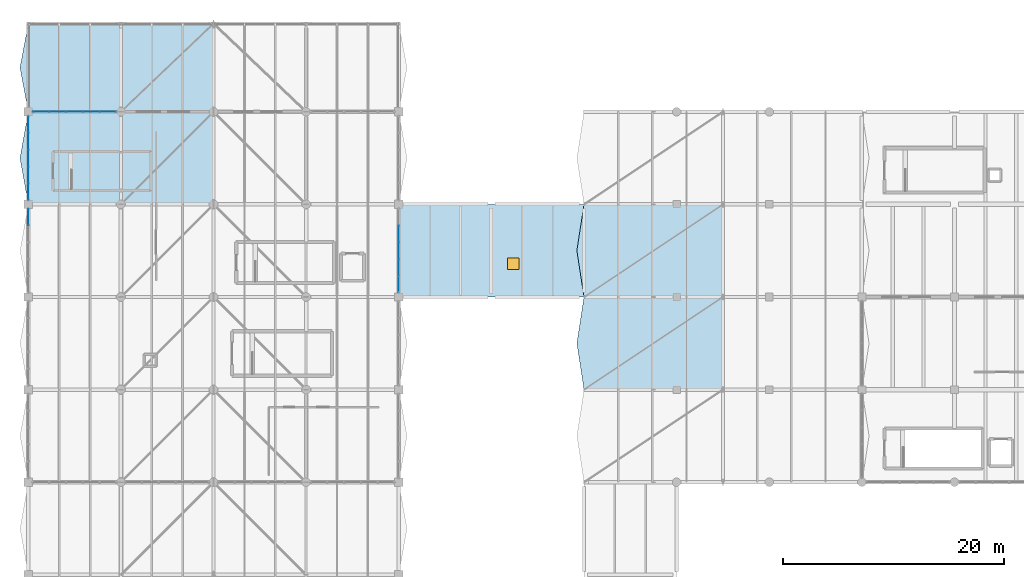
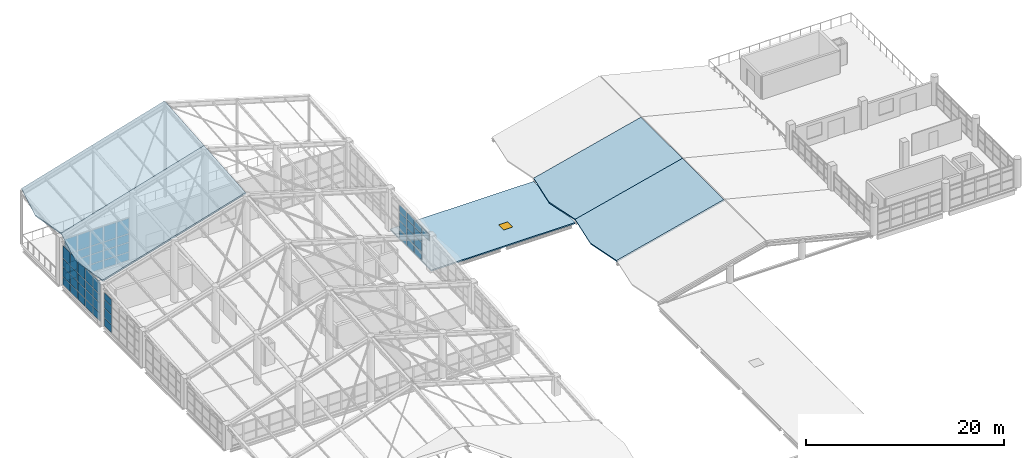
# One storey, part 69 of 95: 57 plates, 5 slabs, 1 door, 1 opening, 4 elements without a shape of their own.
"""IFC4 building model written with IfcOpenShell, lengths in metres."""

from ifc_helpers import new_model, si_unit, direction, frame, origin, origin_2d, place, context, subcontext, project, spatial, polyline, rectangle, outline, extrude, material, layer, layer_set, type_object, element, fill, aggregate, save


model = new_model("IFC4")

# Units and contexts
model_context = context("Model", 3, precision=1e-05, world=origin(), true_north=direction((0.0, 1.0)))
body_context = subcontext(model_context, "Body", "Model", "MODEL_VIEW")
ifc_project = project(units=[si_unit("LENGTHUNIT", "METRE"), si_unit("AREAUNIT", "SQUARE_METRE"), si_unit("VOLUMEUNIT", "CUBIC_METRE"), si_unit("PLANEANGLEUNIT", "RADIAN"), si_unit("MASSUNIT", "GRAM", prefix="KILO"), si_unit("THERMODYNAMICTEMPERATUREUNIT", "KELVIN"), si_unit("POWERUNIT", "WATT")], contexts=[model_context])

# Site, building, storey
site_placement = place(None, origin())
site = spatial("IfcSite", under=ifc_project, at=site_placement, CompositionType="ELEMENT")
building_placement = place(site_placement, origin())
building = spatial("IfcBuilding", under=site, at=building_placement, Name="Mavoryth Pier Ferry Terminal", CompositionType="ELEMENT")
storey_placement = place(building_placement, frame((0.0, 0.0, 9.60009765625)))
storey = spatial("IfcBuildingStorey", under=building, at=storey_placement, Name="L02", CompositionType="ELEMENT", Elevation=9.60009765625)

# Curtain wall, plates
ifc_material_1 = material(Name="Anodised Aluminium and Solar-Control Low-E Glass", Category="aluminium")
ifc_layer_1 = layer(ifc_material_1, 0.179931640625, Name="Anodised Aluminium and Solar-Control Low-E Glass", Category="aluminium")
ifc_layer_set_1 = layer_set([ifc_layer_1], Name="Anodised Aluminium and Solar-Control Low-E Glass - CW-Concourse-Mod1400")
curtain_wall_type_1 = type_object("IfcCurtainWallType", Name="CW-Concourse-Mod1400", PredefinedType="USERDEFINED", material=ifc_layer_set_1)
curtain_wall_1_placement = place(storey_placement, origin())
curtain_wall_1 = element("IfcCurtainWall", 1, at=curtain_wall_1_placement, inside=storey, type_object=curtain_wall_type_1, Name="Curtain Wall CW-0222-028", ObjectType="UNITISED CURTAIN WALL", PredefinedType="USERDEFINED")
ifc_material_2 = material(Name="Acoustic Solar-Control Triple-Laminated Glazing", Category="glass")
ifc_layer_2 = layer(ifc_material_2, 0.033935546875, Name="Acoustic Solar-Control Triple-Laminated Glazing", Category="glass")
ifc_layer_set_2 = layer_set([ifc_layer_2], Name="Acoustic Solar-Control Triple-Laminated Glazing - Panel-LowE-DGU-34")
plate_type = type_object("IfcPlateType", Name="Panel-LowE-DGU-34", PredefinedType="CURTAIN_PANEL", material=ifc_layer_set_2)
plate_1_placement = place(storey_placement, frame((0.0, 96.445068359375, 0.059814453125), z_axis=(0.0, 0.0, 1.0), x_axis=(0.0, -1.0, 0.0)))
plate_1 = element("IfcPlate", 2, at=plate_1_placement, type_object=plate_type, Name="CW01 panel 1.1", PredefinedType="CURTAIN_PANEL", context=body_context, shape_type="SweptSolid", body=[
    extrude(rectangle(XDim=1.43994140625, YDim=0.033935546875, at=origin_2d()), origin(), (0.0, 0.0, 1.0), 0.9599609375),
])
plate_2_placement = place(storey_placement, frame((0.0, 96.445068359375, 1.080078125), z_axis=(0.0, 0.0, 1.0), x_axis=(0.0, -1.0, 0.0)))
plate_2 = element("IfcPlate", 3, at=plate_2_placement, type_object=plate_type, Name="CW01 panel 1.2", PredefinedType="CURTAIN_PANEL", context=body_context, shape_type="SweptSolid", body=[
    extrude(rectangle(XDim=1.43994140625, YDim=0.033935546875, at=origin_2d()), origin(), (0.0, 0.0, 1.0), 1.139892578125),
])
plate_3_placement = place(storey_placement, frame((0.0, 96.445068359375, 2.27978515625), z_axis=(0.0, 0.0, 1.0), x_axis=(0.0, -1.0, 0.0)))
plate_3 = element("IfcPlate", 4, at=plate_3_placement, type_object=plate_type, Name="CW01 panel 1.3", PredefinedType="CURTAIN_PANEL", context=body_context, shape_type="SweptSolid", body=[
    extrude(rectangle(XDim=1.43994140625, YDim=0.033935546875, at=origin_2d()), origin(), (0.0, 0.0, 1.0), 0.989990234375),
])
plate_4_placement = place(storey_placement, frame((0.0, 96.445068359375, 3.330078125), z_axis=(0.0, 0.0, 1.0), x_axis=(0.0, -1.0, 0.0)))
plate_4 = element("IfcPlate", 5, at=plate_4_placement, type_object=plate_type, Name="CW01 panel 1.4", PredefinedType="CURTAIN_PANEL", context=body_context, shape_type="SweptSolid", body=[
    extrude(rectangle(XDim=1.43994140625, YDim=0.033935546875, at=origin_2d()), origin(), (0.0, 0.0, 1.0), 0.831787109375),
])
aggregate(curtain_wall_1, [plate_1, plate_2, plate_3, plate_4])

curtain_wall_2_placement = place(storey_placement, origin())
curtain_wall_2 = element("IfcCurtainWall", 6, at=curtain_wall_2_placement, inside=storey, type_object=curtain_wall_type_1, Name="Curtain Wall CW-0222-029", ObjectType="UNITISED CURTAIN WALL", PredefinedType="USERDEFINED")
plate_5_placement = place(storey_placement, frame((33.60009765625, 90.35498046875, 3.330078125), z_axis=(0.0, 0.0, 1.0), x_axis=(0.0, 1.0, 0.0)))
plate_5 = element("IfcPlate", 7, at=plate_5_placement, type_object=plate_type, Name="CW01 panel 1.4", PredefinedType="CURTAIN_PANEL", context=body_context, shape_type="SweptSolid", body=[
    extrude(rectangle(XDim=1.43994140625, YDim=0.033935546875, at=origin_2d()), origin(), (0.0, 0.0, 1.0), 0.831787109375),
])
plate_6_placement = place(storey_placement, frame((33.60009765625, 91.8701171875, 0.059814453125), z_axis=(0.0, 0.0, 1.0), x_axis=(0.0, 1.0, 0.0)))
plate_6 = element("IfcPlate", 8, at=plate_6_placement, type_object=plate_type, Name="CW01 panel 2.1", PredefinedType="CURTAIN_PANEL", context=body_context, shape_type="SweptSolid", body=[
    extrude(rectangle(XDim=1.469970703125, YDim=0.033935546875, at=origin_2d()), origin(), (0.0, 0.0, 1.0), 0.9599609375),
])
plate_7_placement = place(storey_placement, frame((33.60009765625, 91.8701171875, 1.080078125), z_axis=(0.0, 0.0, 1.0), x_axis=(0.0, 1.0, 0.0)))
plate_7 = element("IfcPlate", 9, at=plate_7_placement, type_object=plate_type, Name="CW01 panel 2.2", PredefinedType="CURTAIN_PANEL", context=body_context, shape_type="SweptSolid", body=[
    extrude(rectangle(XDim=1.469970703125, YDim=0.033935546875, at=origin_2d()), origin(), (0.0, 0.0, 1.0), 1.139892578125),
])
plate_8_placement = place(storey_placement, frame((33.60009765625, 91.8701171875, 2.27978515625), z_axis=(0.0, 0.0, 1.0), x_axis=(0.0, 1.0, 0.0)))
plate_8 = element("IfcPlate", 10, at=plate_8_placement, type_object=plate_type, Name="CW01 panel 2.3", PredefinedType="CURTAIN_PANEL", context=body_context, shape_type="SweptSolid", body=[
    extrude(rectangle(XDim=1.469970703125, YDim=0.033935546875, at=origin_2d()), origin(), (0.0, 0.0, 1.0), 0.989990234375),
])
plate_9_placement = place(storey_placement, frame((33.60009765625, 91.8701171875, 3.330078125), z_axis=(0.0, 0.0, 1.0), x_axis=(0.0, 1.0, 0.0)))
plate_9 = element("IfcPlate", 11, at=plate_9_placement, type_object=plate_type, Name="CW01 panel 2.4", PredefinedType="CURTAIN_PANEL", context=body_context, shape_type="SweptSolid", body=[
    extrude(rectangle(XDim=1.469970703125, YDim=0.033935546875, at=origin_2d()), origin(), (0.0, 0.0, 1.0), 0.831787109375),
])
plate_10_placement = place(storey_placement, frame((33.60009765625, 93.39990234375, 0.059814453125), z_axis=(0.0, 0.0, 1.0), x_axis=(0.0, 1.0, 0.0)))
plate_10 = element("IfcPlate", 12, at=plate_10_placement, type_object=plate_type, Name="CW01 panel 3.1", PredefinedType="CURTAIN_PANEL", context=body_context, shape_type="SweptSolid", body=[
    extrude(rectangle(XDim=1.469970703125, YDim=0.033935546875, at=origin_2d()), origin(), (0.0, 0.0, 1.0), 0.9599609375),
])
plate_11_placement = place(storey_placement, frame((33.60009765625, 93.39990234375, 1.080078125), z_axis=(0.0, 0.0, 1.0), x_axis=(0.0, 1.0, 0.0)))
plate_11 = element("IfcPlate", 13, at=plate_11_placement, type_object=plate_type, Name="CW01 panel 3.2", PredefinedType="CURTAIN_PANEL", context=body_context, shape_type="SweptSolid", body=[
    extrude(rectangle(XDim=1.469970703125, YDim=0.033935546875, at=origin_2d()), origin(), (0.0, 0.0, 1.0), 1.139892578125),
])
plate_12_placement = place(storey_placement, frame((33.60009765625, 93.39990234375, 2.27978515625), z_axis=(0.0, 0.0, 1.0), x_axis=(0.0, 1.0, 0.0)))
plate_12 = element("IfcPlate", 14, at=plate_12_placement, type_object=plate_type, Name="CW01 panel 3.3", PredefinedType="CURTAIN_PANEL", context=body_context, shape_type="SweptSolid", body=[
    extrude(rectangle(XDim=1.469970703125, YDim=0.033935546875, at=origin_2d()), origin(), (0.0, 0.0, 1.0), 0.989990234375),
])
plate_13_placement = place(storey_placement, frame((33.60009765625, 93.39990234375, 3.330078125), z_axis=(0.0, 0.0, 1.0), x_axis=(0.0, 1.0, 0.0)))
plate_13 = element("IfcPlate", 15, at=plate_13_placement, type_object=plate_type, Name="CW01 panel 3.4", PredefinedType="CURTAIN_PANEL", context=body_context, shape_type="SweptSolid", body=[
    extrude(rectangle(XDim=1.469970703125, YDim=0.033935546875, at=origin_2d()), origin(), (0.0, 0.0, 1.0), 0.831787109375),
])
plate_14_placement = place(storey_placement, frame((33.60009765625, 94.929931640625, 0.059814453125), z_axis=(0.0, 0.0, 1.0), x_axis=(0.0, 1.0, 0.0)))
plate_14 = element("IfcPlate", 16, at=plate_14_placement, type_object=plate_type, Name="CW01 panel 4.1", PredefinedType="CURTAIN_PANEL", context=body_context, shape_type="SweptSolid", body=[
    extrude(rectangle(XDim=1.469970703125, YDim=0.033935546875, at=origin_2d()), origin(), (0.0, 0.0, 1.0), 0.9599609375),
])
plate_15_placement = place(storey_placement, frame((33.60009765625, 94.929931640625, 1.080078125), z_axis=(0.0, 0.0, 1.0), x_axis=(0.0, 1.0, 0.0)))
plate_15 = element("IfcPlate", 17, at=plate_15_placement, type_object=plate_type, Name="CW01 panel 4.2", PredefinedType="CURTAIN_PANEL", context=body_context, shape_type="SweptSolid", body=[
    extrude(rectangle(XDim=1.469970703125, YDim=0.033935546875, at=origin_2d()), origin(), (0.0, 0.0, 1.0), 1.139892578125),
])
plate_16_placement = place(storey_placement, frame((33.60009765625, 94.929931640625, 2.27978515625), z_axis=(0.0, 0.0, 1.0), x_axis=(0.0, 1.0, 0.0)))
plate_16 = element("IfcPlate", 18, at=plate_16_placement, type_object=plate_type, Name="CW01 panel 4.3", PredefinedType="CURTAIN_PANEL", context=body_context, shape_type="SweptSolid", body=[
    extrude(rectangle(XDim=1.469970703125, YDim=0.033935546875, at=origin_2d()), origin(), (0.0, 0.0, 1.0), 0.989990234375),
])
plate_17_placement = place(storey_placement, frame((33.60009765625, 94.929931640625, 3.330078125), z_axis=(0.0, 0.0, 1.0), x_axis=(0.0, 1.0, 0.0)))
plate_17 = element("IfcPlate", 19, at=plate_17_placement, type_object=plate_type, Name="CW01 panel 4.4", PredefinedType="CURTAIN_PANEL", context=body_context, shape_type="SweptSolid", body=[
    extrude(rectangle(XDim=1.469970703125, YDim=0.033935546875, at=origin_2d()), origin(), (0.0, 0.0, 1.0), 0.831787109375),
])
aggregate(curtain_wall_2, [plate_5, plate_6, plate_7, plate_8, plate_9, plate_10, plate_11, plate_12, plate_13, plate_14, plate_15, plate_16, plate_17])

curtain_wall_3_placement = place(storey_placement, origin())
curtain_wall_3 = element("IfcCurtainWall", 20, at=curtain_wall_3_placement, inside=storey, type_object=curtain_wall_type_1, Name="Curtain Wall CW-0222-034", ObjectType="UNITISED CURTAIN WALL", PredefinedType="USERDEFINED")
plate_18_placement = place(storey_placement, frame((0.0, 104.844970703125, 0.059814453125), z_axis=(0.0, 0.0, 1.0), x_axis=(0.0, -1.0, 0.0)))
plate_18 = element("IfcPlate", 21, at=plate_18_placement, type_object=plate_type, Name="CW01 panel 1.1", PredefinedType="CURTAIN_PANEL", context=body_context, shape_type="SweptSolid", body=[
    extrude(rectangle(XDim=1.43994140625, YDim=0.033935546875, at=origin_2d()), origin(), (0.0, 0.0, 1.0), 0.9599609375),
])
plate_19_placement = place(storey_placement, frame((0.0, 104.844970703125, 1.080078125), z_axis=(0.0, 0.0, 1.0), x_axis=(0.0, -1.0, 0.0)))
plate_19 = element("IfcPlate", 22, at=plate_19_placement, type_object=plate_type, Name="CW01 panel 1.2", PredefinedType="CURTAIN_PANEL", context=body_context, shape_type="SweptSolid", body=[
    extrude(rectangle(XDim=1.43994140625, YDim=0.033935546875, at=origin_2d()), origin(), (0.0, 0.0, 1.0), 1.139892578125),
])
plate_20_placement = place(storey_placement, frame((0.0, 104.844970703125, 2.27978515625), z_axis=(0.0, 0.0, 1.0), x_axis=(0.0, -1.0, 0.0)))
plate_20 = element("IfcPlate", 23, at=plate_20_placement, type_object=plate_type, Name="CW01 panel 1.3", PredefinedType="CURTAIN_PANEL", context=body_context, shape_type="SweptSolid", body=[
    extrude(rectangle(XDim=1.43994140625, YDim=0.033935546875, at=origin_2d()), origin(), (0.0, 0.0, 1.0), 0.989990234375),
])
plate_21_placement = place(storey_placement, frame((0.0, 104.844970703125, 3.330078125), z_axis=(0.0, 0.0, 1.0), x_axis=(0.0, -1.0, 0.0)))
plate_21 = element("IfcPlate", 24, at=plate_21_placement, type_object=plate_type, Name="CW01 panel 1.4", PredefinedType="CURTAIN_PANEL", context=body_context, shape_type="SweptSolid", body=[
    extrude(rectangle(XDim=1.43994140625, YDim=0.033935546875, at=origin_2d()), origin(), (0.0, 0.0, 1.0), 1.546142578125),
])
plate_22_placement = place(storey_placement, frame((0.0, 103.330078125, 0.059814453125), z_axis=(0.0, 0.0, 1.0), x_axis=(0.0, -1.0, 0.0)))
plate_22 = element("IfcPlate", 25, at=plate_22_placement, type_object=plate_type, Name="CW01 panel 2.1", PredefinedType="CURTAIN_PANEL", context=body_context, shape_type="SweptSolid", body=[
    extrude(rectangle(XDim=1.469970703125, YDim=0.033935546875, at=origin_2d()), origin(), (0.0, 0.0, 1.0), 0.9599609375),
])
plate_23_placement = place(storey_placement, frame((0.0, 103.330078125, 1.080078125), z_axis=(0.0, 0.0, 1.0), x_axis=(0.0, -1.0, 0.0)))
plate_23 = element("IfcPlate", 26, at=plate_23_placement, type_object=plate_type, Name="CW01 panel 2.2", PredefinedType="CURTAIN_PANEL", context=body_context, shape_type="SweptSolid", body=[
    extrude(rectangle(XDim=1.469970703125, YDim=0.033935546875, at=origin_2d()), origin(), (0.0, 0.0, 1.0), 1.139892578125),
])
plate_24_placement = place(storey_placement, frame((0.0, 103.330078125, 2.27978515625), z_axis=(0.0, 0.0, 1.0), x_axis=(0.0, -1.0, 0.0)))
plate_24 = element("IfcPlate", 27, at=plate_24_placement, type_object=plate_type, Name="CW01 panel 2.3", PredefinedType="CURTAIN_PANEL", context=body_context, shape_type="SweptSolid", body=[
    extrude(rectangle(XDim=1.469970703125, YDim=0.033935546875, at=origin_2d()), origin(), (0.0, 0.0, 1.0), 0.989990234375),
])
plate_25_placement = place(storey_placement, frame((0.0, 103.330078125, 3.330078125), z_axis=(0.0, 0.0, 1.0), x_axis=(0.0, -1.0, 0.0)))
plate_25 = element("IfcPlate", 28, at=plate_25_placement, type_object=plate_type, Name="CW01 panel 2.4", PredefinedType="CURTAIN_PANEL", context=body_context, shape_type="SweptSolid", body=[
    extrude(rectangle(XDim=1.469970703125, YDim=0.033935546875, at=origin_2d()), origin(), (0.0, 0.0, 1.0), 1.546142578125),
])
plate_26_placement = place(storey_placement, frame((0.0, 101.800048828125, 0.059814453125), z_axis=(0.0, 0.0, 1.0), x_axis=(0.0, -1.0, 0.0)))
plate_26 = element("IfcPlate", 29, at=plate_26_placement, type_object=plate_type, Name="CW01 panel 3.1", PredefinedType="CURTAIN_PANEL", context=body_context, shape_type="SweptSolid", body=[
    extrude(rectangle(XDim=1.469970703125, YDim=0.033935546875, at=origin_2d()), origin(), (0.0, 0.0, 1.0), 0.9599609375),
])
plate_27_placement = place(storey_placement, frame((0.0, 101.800048828125, 1.080078125), z_axis=(0.0, 0.0, 1.0), x_axis=(0.0, -1.0, 0.0)))
plate_27 = element("IfcPlate", 30, at=plate_27_placement, type_object=plate_type, Name="CW01 panel 3.2", PredefinedType="CURTAIN_PANEL", context=body_context, shape_type="SweptSolid", body=[
    extrude(rectangle(XDim=1.469970703125, YDim=0.033935546875, at=origin_2d()), origin(), (0.0, 0.0, 1.0), 1.139892578125),
])
plate_28_placement = place(storey_placement, frame((0.0, 101.800048828125, 2.27978515625), z_axis=(0.0, 0.0, 1.0), x_axis=(0.0, -1.0, 0.0)))
plate_28 = element("IfcPlate", 31, at=plate_28_placement, type_object=plate_type, Name="CW01 panel 3.3", PredefinedType="CURTAIN_PANEL", context=body_context, shape_type="SweptSolid", body=[
    extrude(rectangle(XDim=1.469970703125, YDim=0.033935546875, at=origin_2d()), origin(), (0.0, 0.0, 1.0), 0.989990234375),
])
plate_29_placement = place(storey_placement, frame((0.0, 101.800048828125, 3.330078125), z_axis=(0.0, 0.0, 1.0), x_axis=(0.0, -1.0, 0.0)))
plate_29 = element("IfcPlate", 32, at=plate_29_placement, type_object=plate_type, Name="CW01 panel 3.4", PredefinedType="CURTAIN_PANEL", context=body_context, shape_type="SweptSolid", body=[
    extrude(rectangle(XDim=1.469970703125, YDim=0.033935546875, at=origin_2d()), origin(), (0.0, 0.0, 1.0), 1.546142578125),
])
plate_30_placement = place(storey_placement, frame((0.0, 100.27001953125, 0.059814453125), z_axis=(0.0, 0.0, 1.0), x_axis=(0.0, -1.0, 0.0)))
plate_30 = element("IfcPlate", 33, at=plate_30_placement, type_object=plate_type, Name="CW01 panel 4.1", PredefinedType="CURTAIN_PANEL", context=body_context, shape_type="SweptSolid", body=[
    extrude(rectangle(XDim=1.469970703125, YDim=0.033935546875, at=origin_2d()), origin(), (0.0, 0.0, 1.0), 0.9599609375),
])
plate_31_placement = place(storey_placement, frame((0.0, 100.27001953125, 1.080078125), z_axis=(0.0, 0.0, 1.0), x_axis=(0.0, -1.0, 0.0)))
plate_31 = element("IfcPlate", 34, at=plate_31_placement, type_object=plate_type, Name="CW01 panel 4.2", PredefinedType="CURTAIN_PANEL", context=body_context, shape_type="SweptSolid", body=[
    extrude(rectangle(XDim=1.469970703125, YDim=0.033935546875, at=origin_2d()), origin(), (0.0, 0.0, 1.0), 1.139892578125),
])
plate_32_placement = place(storey_placement, frame((0.0, 100.27001953125, 2.27978515625), z_axis=(0.0, 0.0, 1.0), x_axis=(0.0, -1.0, 0.0)))
plate_32 = element("IfcPlate", 35, at=plate_32_placement, type_object=plate_type, Name="CW01 panel 4.3", PredefinedType="CURTAIN_PANEL", context=body_context, shape_type="SweptSolid", body=[
    extrude(rectangle(XDim=1.469970703125, YDim=0.033935546875, at=origin_2d()), origin(), (0.0, 0.0, 1.0), 0.989990234375),
])
plate_33_placement = place(storey_placement, frame((0.0, 100.27001953125, 3.330078125), z_axis=(0.0, 0.0, 1.0), x_axis=(0.0, -1.0, 0.0)))
plate_33 = element("IfcPlate", 36, at=plate_33_placement, type_object=plate_type, Name="CW01 panel 4.4", PredefinedType="CURTAIN_PANEL", context=body_context, shape_type="SweptSolid", body=[
    extrude(rectangle(XDim=1.469970703125, YDim=0.033935546875, at=origin_2d()), origin(), (0.0, 0.0, 1.0), 1.546142578125),
])
plate_34_placement = place(storey_placement, frame((0.0, 98.7548828125, 0.059814453125), z_axis=(0.0, 0.0, 1.0), x_axis=(0.0, -1.0, 0.0)))
plate_34 = element("IfcPlate", 37, at=plate_34_placement, type_object=plate_type, Name="CW01 panel 5.1", PredefinedType="CURTAIN_PANEL", context=body_context, shape_type="SweptSolid", body=[
    extrude(rectangle(XDim=1.43994140625, YDim=0.033935546875, at=origin_2d()), origin(), (0.0, 0.0, 1.0), 0.9599609375),
])
plate_35_placement = place(storey_placement, frame((0.0, 98.7548828125, 1.080078125), z_axis=(0.0, 0.0, 1.0), x_axis=(0.0, -1.0, 0.0)))
plate_35 = element("IfcPlate", 38, at=plate_35_placement, type_object=plate_type, Name="CW01 panel 5.2", PredefinedType="CURTAIN_PANEL", context=body_context, shape_type="SweptSolid", body=[
    extrude(rectangle(XDim=1.43994140625, YDim=0.033935546875, at=origin_2d()), origin(), (0.0, 0.0, 1.0), 1.139892578125),
])
plate_36_placement = place(storey_placement, frame((0.0, 98.7548828125, 2.27978515625), z_axis=(0.0, 0.0, 1.0), x_axis=(0.0, -1.0, 0.0)))
plate_36 = element("IfcPlate", 39, at=plate_36_placement, type_object=plate_type, Name="CW01 panel 5.3", PredefinedType="CURTAIN_PANEL", context=body_context, shape_type="SweptSolid", body=[
    extrude(rectangle(XDim=1.43994140625, YDim=0.033935546875, at=origin_2d()), origin(), (0.0, 0.0, 1.0), 0.989990234375),
])
plate_37_placement = place(storey_placement, frame((0.0, 98.7548828125, 3.330078125), z_axis=(0.0, 0.0, 1.0), x_axis=(0.0, -1.0, 0.0)))
plate_37 = element("IfcPlate", 40, at=plate_37_placement, type_object=plate_type, Name="CW01 panel 5.4", PredefinedType="CURTAIN_PANEL", context=body_context, shape_type="SweptSolid", body=[
    extrude(rectangle(XDim=1.43994140625, YDim=0.033935546875, at=origin_2d()), origin(), (0.0, 0.0, 1.0), 1.546142578125),
])
aggregate(curtain_wall_3, [plate_18, plate_19, plate_20, plate_21, plate_22, plate_23, plate_24, plate_25, plate_26, plate_27, plate_28, plate_29, plate_30, plate_31, plate_32, plate_33, plate_34, plate_35, plate_36, plate_37])

ifc_layer_3 = layer(ifc_material_1, 0.219970703125, Name="Anodised Aluminium and Solar-Control Low-E Glass", Category="aluminium")
ifc_layer_set_3 = layer_set([ifc_layer_3], Name="Anodised Aluminium and Solar-Control Low-E Glass - CW-Seaward-Tall-Mod1400")
curtain_wall_type_2 = type_object("IfcCurtainWallType", Name="CW-Seaward-Tall-Mod1400", PredefinedType="USERDEFINED", material=ifc_layer_set_3)
curtain_wall_4_placement = place(storey_placement, origin())
curtain_wall_4 = element("IfcCurtainWall", 41, at=curtain_wall_4_placement, inside=storey, type_object=curtain_wall_type_2, Name="Curtain Wall CW-0254-037", ObjectType="UNITISED CURTAIN WALL", PredefinedType="USERDEFINED")
plate_38_placement = place(storey_placement, frame((7.227783203125, 106.0, 0.06982421875), z_axis=(0.0, 0.0, 1.0), x_axis=(-1.0, 0.0, 0.0)))
plate_38 = element("IfcPlate", 42, at=plate_38_placement, type_object=plate_type, Name="CW03 panel 1.1", PredefinedType="CURTAIN_PANEL", context=body_context, shape_type="SweptSolid", body=[
    extrude(rectangle(XDim=1.41455078125, YDim=0.033935546875, at=origin_2d()), origin(), (0.0, 0.0, 1.0), 0.945068359375),
])
plate_39_placement = place(storey_placement, frame((7.227783203125, 106.0, 1.0849609375), z_axis=(0.0, 0.0, 1.0), x_axis=(-1.0, 0.0, 0.0)))
plate_39 = element("IfcPlate", 43, at=plate_39_placement, type_object=plate_type, Name="CW03 panel 1.2", PredefinedType="CURTAIN_PANEL", context=body_context, shape_type="SweptSolid", body=[
    extrude(rectangle(XDim=1.41455078125, YDim=0.033935546875, at=origin_2d()), origin(), (0.0, 0.0, 1.0), 1.1298828125),
])
plate_40_placement = place(storey_placement, frame((7.227783203125, 106.0, 2.284912109375), z_axis=(0.0, 0.0, 1.0), x_axis=(-1.0, 0.0, 0.0)))
plate_40 = element("IfcPlate", 44, at=plate_40_placement, type_object=plate_type, Name="CW03 panel 1.3", PredefinedType="CURTAIN_PANEL", context=body_context, shape_type="SweptSolid", body=[
    extrude(rectangle(XDim=1.41455078125, YDim=0.033935546875, at=origin_2d()), origin(), (0.0, 0.0, 1.0), 0.97998046875),
])
plate_41_placement = place(storey_placement, frame((7.227783203125, 106.0, 3.3349609375), z_axis=(0.0, 0.0, 1.0), x_axis=(-1.0, 0.0, 0.0)))
plate_41 = element("IfcPlate", 45, at=plate_41_placement, type_object=plate_type, Name="CW03 panel 1.4", PredefinedType="CURTAIN_PANEL", context=body_context, shape_type="SweptSolid", body=[
    extrude(rectangle(XDim=1.41455078125, YDim=0.033935546875, at=origin_2d()), origin(), (0.0, 0.0, 1.0), 1.88818359375),
])
plate_42_placement = place(storey_placement, frame((5.719482421875, 106.0, 0.06982421875), z_axis=(0.0, 0.0, 1.0), x_axis=(-1.0, 0.0, 0.0)))
plate_42 = element("IfcPlate", 46, at=plate_42_placement, type_object=plate_type, Name="CW03 panel 2.1", PredefinedType="CURTAIN_PANEL", context=body_context, shape_type="SweptSolid", body=[
    extrude(rectangle(XDim=1.451904296875, YDim=0.033935546875, at=origin_2d()), origin(), (0.0, 0.0, 1.0), 0.945068359375),
])
plate_43_placement = place(storey_placement, frame((5.719482421875, 106.0, 1.0849609375), z_axis=(0.0, 0.0, 1.0), x_axis=(-1.0, 0.0, 0.0)))
plate_43 = element("IfcPlate", 47, at=plate_43_placement, type_object=plate_type, Name="CW03 panel 2.2", PredefinedType="CURTAIN_PANEL", context=body_context, shape_type="SweptSolid", body=[
    extrude(rectangle(XDim=1.451904296875, YDim=0.033935546875, at=origin_2d()), origin(), (0.0, 0.0, 1.0), 1.1298828125),
])
plate_44_placement = place(storey_placement, frame((5.719482421875, 106.0, 2.284912109375), z_axis=(0.0, 0.0, 1.0), x_axis=(-1.0, 0.0, 0.0)))
plate_44 = element("IfcPlate", 48, at=plate_44_placement, type_object=plate_type, Name="CW03 panel 2.3", PredefinedType="CURTAIN_PANEL", context=body_context, shape_type="SweptSolid", body=[
    extrude(rectangle(XDim=1.451904296875, YDim=0.033935546875, at=origin_2d()), origin(), (0.0, 0.0, 1.0), 0.97998046875),
])
plate_45_placement = place(storey_placement, frame((5.719482421875, 106.0, 3.3349609375), z_axis=(0.0, 0.0, 1.0), x_axis=(-1.0, 0.0, 0.0)))
plate_45 = element("IfcPlate", 49, at=plate_45_placement, type_object=plate_type, Name="CW03 panel 2.4", PredefinedType="CURTAIN_PANEL", context=body_context, shape_type="SweptSolid", body=[
    extrude(rectangle(XDim=1.451904296875, YDim=0.033935546875, at=origin_2d()), origin(), (0.0, 0.0, 1.0), 1.88818359375),
])
plate_46_placement = place(storey_placement, frame((4.1923828125, 106.0, 0.06982421875), z_axis=(0.0, 0.0, 1.0), x_axis=(-1.0, 0.0, 0.0)))
plate_46 = element("IfcPlate", 50, at=plate_46_placement, type_object=plate_type, Name="CW03 panel 3.1", PredefinedType="CURTAIN_PANEL", context=body_context, shape_type="SweptSolid", body=[
    extrude(rectangle(XDim=1.451904296875, YDim=0.033935546875, at=origin_2d()), origin(), (0.0, 0.0, 1.0), 0.945068359375),
])
plate_47_placement = place(storey_placement, frame((4.1923828125, 106.0, 1.0849609375), z_axis=(0.0, 0.0, 1.0), x_axis=(-1.0, 0.0, 0.0)))
plate_47 = element("IfcPlate", 51, at=plate_47_placement, type_object=plate_type, Name="CW03 panel 3.2", PredefinedType="CURTAIN_PANEL", context=body_context, shape_type="SweptSolid", body=[
    extrude(rectangle(XDim=1.451904296875, YDim=0.033935546875, at=origin_2d()), origin(), (0.0, 0.0, 1.0), 1.1298828125),
])
plate_48_placement = place(storey_placement, frame((4.1923828125, 106.0, 2.284912109375), z_axis=(0.0, 0.0, 1.0), x_axis=(-1.0, 0.0, 0.0)))
plate_48 = element("IfcPlate", 52, at=plate_48_placement, type_object=plate_type, Name="CW03 panel 3.3", PredefinedType="CURTAIN_PANEL", context=body_context, shape_type="SweptSolid", body=[
    extrude(rectangle(XDim=1.451904296875, YDim=0.033935546875, at=origin_2d()), origin(), (0.0, 0.0, 1.0), 0.97998046875),
])
plate_49_placement = place(storey_placement, frame((4.1923828125, 106.0, 3.3349609375), z_axis=(0.0, 0.0, 1.0), x_axis=(-1.0, 0.0, 0.0)))
plate_49 = element("IfcPlate", 53, at=plate_49_placement, type_object=plate_type, Name="CW03 panel 3.4", PredefinedType="CURTAIN_PANEL", context=body_context, shape_type="SweptSolid", body=[
    extrude(rectangle(XDim=1.451904296875, YDim=0.033935546875, at=origin_2d()), origin(), (0.0, 0.0, 1.0), 1.88818359375),
])
plate_50_placement = place(storey_placement, frame((2.66552734375, 106.0, 0.06982421875), z_axis=(0.0, 0.0, 1.0), x_axis=(-1.0, 0.0, 0.0)))
plate_50 = element("IfcPlate", 54, at=plate_50_placement, type_object=plate_type, Name="CW03 panel 4.1", PredefinedType="CURTAIN_PANEL", context=body_context, shape_type="SweptSolid", body=[
    extrude(rectangle(XDim=1.451904296875, YDim=0.033935546875, at=origin_2d()), origin(), (0.0, 0.0, 1.0), 0.945068359375),
])
plate_51_placement = place(storey_placement, frame((2.66552734375, 106.0, 1.0849609375), z_axis=(0.0, 0.0, 1.0), x_axis=(-1.0, 0.0, 0.0)))
plate_51 = element("IfcPlate", 55, at=plate_51_placement, type_object=plate_type, Name="CW03 panel 4.2", PredefinedType="CURTAIN_PANEL", context=body_context, shape_type="SweptSolid", body=[
    extrude(rectangle(XDim=1.451904296875, YDim=0.033935546875, at=origin_2d()), origin(), (0.0, 0.0, 1.0), 1.1298828125),
])
plate_52_placement = place(storey_placement, frame((2.66552734375, 106.0, 2.284912109375), z_axis=(0.0, 0.0, 1.0), x_axis=(-1.0, 0.0, 0.0)))
plate_52 = element("IfcPlate", 56, at=plate_52_placement, type_object=plate_type, Name="CW03 panel 4.3", PredefinedType="CURTAIN_PANEL", context=body_context, shape_type="SweptSolid", body=[
    extrude(rectangle(XDim=1.451904296875, YDim=0.033935546875, at=origin_2d()), origin(), (0.0, 0.0, 1.0), 0.97998046875),
])
plate_53_placement = place(storey_placement, frame((2.66552734375, 106.0, 3.3349609375), z_axis=(0.0, 0.0, 1.0), x_axis=(-1.0, 0.0, 0.0)))
plate_53 = element("IfcPlate", 57, at=plate_53_placement, type_object=plate_type, Name="CW03 panel 4.4", PredefinedType="CURTAIN_PANEL", context=body_context, shape_type="SweptSolid", body=[
    extrude(rectangle(XDim=1.451904296875, YDim=0.033935546875, at=origin_2d()), origin(), (0.0, 0.0, 1.0), 1.88818359375),
])
plate_54_placement = place(storey_placement, frame((1.1572265625, 106.0, 0.06982421875), z_axis=(0.0, 0.0, 1.0), x_axis=(-1.0, 0.0, 0.0)))
plate_54 = element("IfcPlate", 58, at=plate_54_placement, type_object=plate_type, Name="CW03 panel 5.1", PredefinedType="CURTAIN_PANEL", context=body_context, shape_type="SweptSolid", body=[
    extrude(rectangle(XDim=1.41455078125, YDim=0.033935546875, at=origin_2d()), origin(), (0.0, 0.0, 1.0), 0.945068359375),
])
plate_55_placement = place(storey_placement, frame((1.1572265625, 106.0, 1.0849609375), z_axis=(0.0, 0.0, 1.0), x_axis=(-1.0, 0.0, 0.0)))
plate_55 = element("IfcPlate", 59, at=plate_55_placement, type_object=plate_type, Name="CW03 panel 5.2", PredefinedType="CURTAIN_PANEL", context=body_context, shape_type="SweptSolid", body=[
    extrude(rectangle(XDim=1.41455078125, YDim=0.033935546875, at=origin_2d()), origin(), (0.0, 0.0, 1.0), 1.1298828125),
])
plate_56_placement = place(storey_placement, frame((1.1572265625, 106.0, 2.284912109375), z_axis=(0.0, 0.0, 1.0), x_axis=(-1.0, 0.0, 0.0)))
plate_56 = element("IfcPlate", 60, at=plate_56_placement, type_object=plate_type, Name="CW03 panel 5.3", PredefinedType="CURTAIN_PANEL", context=body_context, shape_type="SweptSolid", body=[
    extrude(rectangle(XDim=1.41455078125, YDim=0.033935546875, at=origin_2d()), origin(), (0.0, 0.0, 1.0), 0.97998046875),
])
plate_57_placement = place(storey_placement, frame((1.1572265625, 106.0, 3.3349609375), z_axis=(0.0, 0.0, 1.0), x_axis=(-1.0, 0.0, 0.0)))
plate_57 = element("IfcPlate", 61, at=plate_57_placement, type_object=plate_type, Name="CW03 panel 5.4", PredefinedType="CURTAIN_PANEL", context=body_context, shape_type="SweptSolid", body=[
    extrude(rectangle(XDim=1.41455078125, YDim=0.033935546875, at=origin_2d()), origin(), (0.0, 0.0, 1.0), 1.88818359375),
])
aggregate(curtain_wall_4, [plate_38, plate_39, plate_40, plate_41, plate_42, plate_43, plate_44, plate_45, plate_46, plate_47, plate_48, plate_49, plate_50, plate_51, plate_52, plate_53, plate_54, plate_55, plate_56, plate_57])

# Slab, opening, door
ifc_material_3 = material(Name="Concrete C35/45", Category="concrete")
ifc_layer_4 = layer(ifc_material_3, 0.159912109375, Name="Concrete C35/45", Category="concrete")
ifc_layer_set_4 = layer_set([ifc_layer_4], Name="Concrete C35/45 - Slab-Roof-Canopy-160")
slab_type_1 = type_object("IfcSlabType", Name="Slab-Roof-Canopy-160", PredefinedType="ROOF", material=ifc_layer_set_4)
slab_1_placement = place(storey_placement, frame((0.0, 0.0, -0.16015625)))
slab_1 = element("IfcSlab", 62, at=slab_1_placement, inside=storey, type_object=slab_type_1, Name="Slab SLB-BR12-RF", PredefinedType="ROOF", context=body_context, shape_type="SweptSolid", body=[
    extrude(outline(polyline([(33.60009765625, 89.199951171875), (50.39990234375, 89.199951171875), (50.39990234375, 97.60009765625), (33.60009765625, 97.60009765625), (33.60009765625, 89.199951171875)]), holes=[polyline([(43.47509765625, 91.675048828125), (44.52490234375, 91.675048828125), (44.52490234375, 92.72509765625), (43.47509765625, 92.72509765625), (43.47509765625, 91.675048828125)])]), origin(), (0.0, 0.0, 1.0), 0.16015625),
])
opening_placement = place(slab_1_placement, frame((44.0, 92.199951171875, 0.0)))
opening = element("IfcOpeningElement", 63, at=opening_placement, cuts=slab_1, Name="Opening RH02-05", PredefinedType="OPENING", context=body_context, shape_type="SweptSolid", body=[
    extrude(rectangle(XDim=1.050048828125, YDim=1.050048828125, at=origin_2d()), frame((0.0, 0.0, -0.010009765625)), (0.0, 0.0, 1.0), 0.18017578125),
])
ifc_material_4 = material(Name="Thermally Broken Anodised Aluminium and Laminated Glass", Category="aluminium")
door_type = type_object("IfcDoorType", Name="Hatch-RoofAccess-1050x1050", OperationType="NOTDEFINED", PredefinedType="TRAPDOOR", material=ifc_material_4)
door_placement = place(opening_placement, frame((0.0, 0.0, 0.110107421875)))
door = element("IfcDoor", 64, at=door_placement, inside=storey, type_object=door_type, Name="Roof Maintenance Access Hatch 5", OperationType="SINGLE_SWING_LEFT", OverallHeight=1.050048828125, OverallWidth=1.050048828125, PredefinedType="TRAPDOOR", context=body_context, shape_type="SweptSolid", body=[
    extrude(rectangle(XDim=1.050048828125, YDim=1.050048828125, at=origin_2d()), origin(), (0.0, 0.0, 1.0), 0.050048828125),
])
fill(opening, door)

# Slabs
ifc_layer_5 = layer(ifc_material_3, 0.219970703125, Name="Concrete C35/45", Category="concrete")
ifc_layer_set_5 = layer_set([ifc_layer_5], Name="Concrete C35/45 - Slab-Roof-FoldedV1-220")
slab_type_2 = type_object("IfcSlabType", Name="Slab-Roof-FoldedV1-220", PredefinedType="ROOF", material=ifc_layer_set_5)
slab_2_placement = place(storey_placement, frame((0.0, 97.60009765625, 5.428955078125), z_axis=(-0.284133155845, -0.081244964769, 0.955336383401), x_axis=(0.958505048522, -1.82032e-07, 0.285075554823)))
element("IfcSlab", 65, at=slab_2_placement, inside=storey, type_object=slab_type_2, Name="Departure Folded Roof West Bay 10", PredefinedType="ROOF", context=body_context, shape_type="SweptSolid", body=[
    extrude(outline(polyline([(0.0, 0.0), (17.45626953842037, 0.0), (17.659913290966493, 8.427763187365834), (0.2036437525461263, 8.427763187365834), (-0.6806699611703131, 4.213875074502775), (0.0, 0.0)])), origin(), (0.0, 0.0, -1.0), 0.219970703125),
])
slab_3_placement = place(storey_placement, frame((0.0, 106.0, 6.143310546875), z_axis=(-0.284133626268, -0.081224718346, 0.955337965096), x_axis=(0.95850504852, -1.81987e-07, 0.28507555483)))
element("IfcSlab", 66, at=slab_3_placement, inside=storey, type_object=slab_type_2, Name="Departure Folded Roof West Bay 11", PredefinedType="ROOF", context=body_context, shape_type="SweptSolid", body=[
    extrude(outline(polyline([(0.0, 0.0), (17.456269538420365, -5.551115123125783e-17), (17.65016957074897, 8.026521156196), (0.19390003232860828, 8.026521156196), (-0.6855418212790727, 4.013254060542453), (0.0, 0.0)])), origin(), (0.0, 0.0, -1.0), 0.219970703125),
])
ifc_layer_6 = layer(ifc_material_3, 0.199951171875, Name="Concrete C35/45", Category="concrete")
ifc_layer_set_6 = layer_set([ifc_layer_6], Name="Concrete C35/45 - Slab-Roof-PitchedV2-200")
slab_type_3 = type_object("IfcSlabType", Name="Slab-Roof-PitchedV2-200", PredefinedType="ROOF", material=ifc_layer_set_6)
slab_4_placement = place(storey_placement, frame((50.39990234375, 80.800048828125, 0.39990234375), z_axis=(-0.242981664779, 0.0, 0.970030881251), x_axis=(0.970030881251, 0.0, 0.242981664779)))
element("IfcSlab", 67, at=slab_4_placement, inside=storey, type_object=slab_type_3, Name="Arrivals Roof West Bay 2", PredefinedType="ROOF", context=body_context, shape_type="SweptSolid", body=[
    extrude(outline(polyline([(0.0, 0.0), (12.929471312016439, 0.0), (12.929471312016439, 8.399902343750002), (0.0, 8.399902343750002), (-0.6699929141354065, 4.199951171875001), (0.0, 0.0)])), origin(), (0.0, 0.0, -1.0), 0.199951171875),
])
slab_5_placement = place(storey_placement, frame((50.39990234375, 89.199951171875, 0.39990234375), z_axis=(-0.242981664779, 0.0, 0.970030881251), x_axis=(0.970030881251, 0.0, 0.242981664779)))
element("IfcSlab", 68, at=slab_5_placement, inside=storey, type_object=slab_type_3, Name="Arrivals Roof West Bay 3", PredefinedType="ROOF", context=body_context, shape_type="SweptSolid", body=[
    extrude(outline(polyline([(0.0, 0.0), (12.929471312016439, 0.0), (12.929471312016439, 8.400146484375002), (0.0, 8.400146484375002), (-0.6699929141354065, 4.199951171875001), (0.0, 0.0)])), origin(), (0.0, 0.0, -1.0), 0.199951171875),
])

save(model, "model.ifc")
